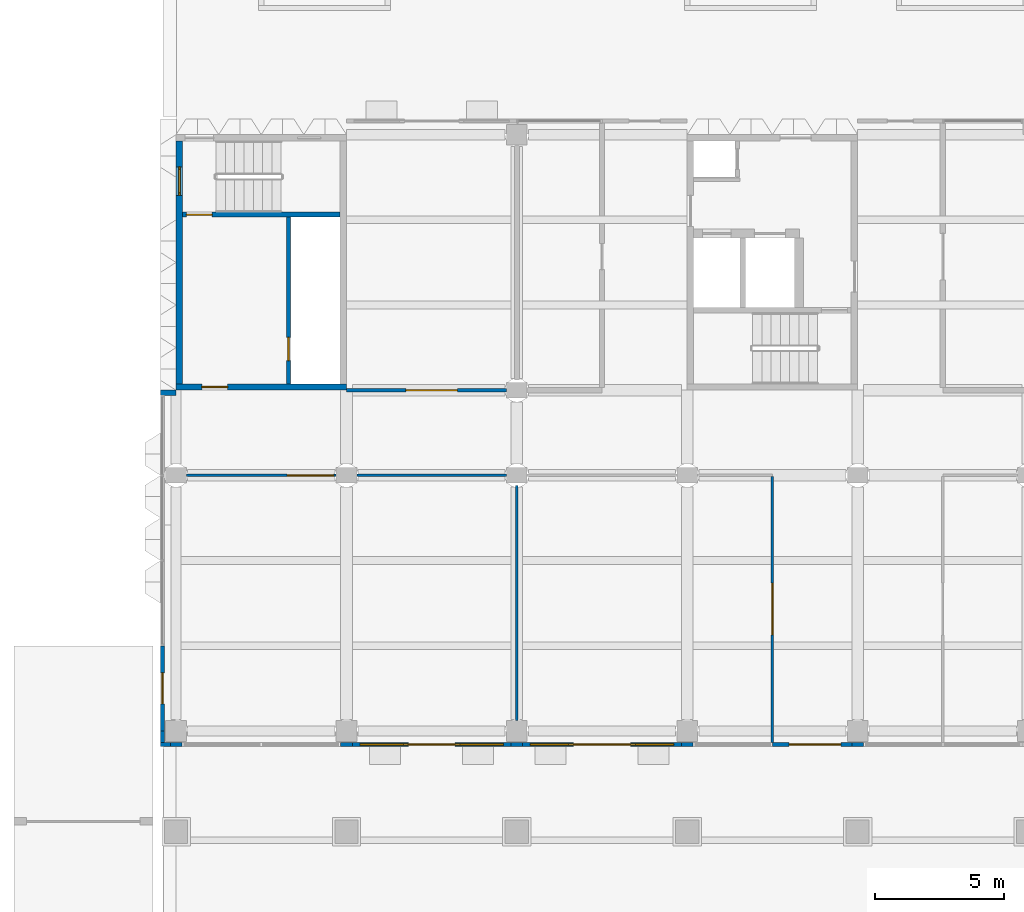
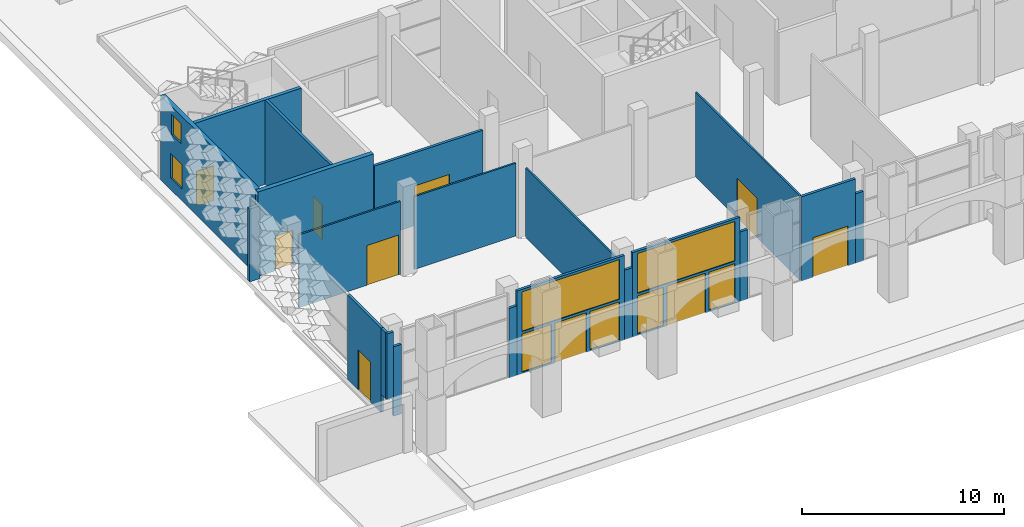
# One storey, part 26 of 85: 21 walls, 10 doors, 8 windows, 18 openings.
"""IFC4 building model written with IfcOpenShell, lengths in metres."""

from ifc_helpers import new_model, si_unit, direction, frame, frame_2d, origin, place, context, subcontext, project, spatial, rectangle, extrude, material, layer, layer_set, type_object, element, fill, save


model = new_model("IFC4")

# Units and contexts
model_context = context("Model", 3, precision=1e-05, world=origin(), true_north=direction((0.0, 1.0)))
body_context = subcontext(model_context, "Body", "Model", "MODEL_VIEW")
ifc_project = project(units=[si_unit("LENGTHUNIT", "METRE"), si_unit("AREAUNIT", "SQUARE_METRE"), si_unit("VOLUMEUNIT", "CUBIC_METRE"), si_unit("PLANEANGLEUNIT", "RADIAN"), si_unit("MASSUNIT", "GRAM", prefix="KILO")], contexts=[model_context])

# Site, building, storey
site_placement = place(None, origin())
site = spatial("IfcSite", under=ifc_project, at=site_placement, CompositionType="ELEMENT")
building_placement = place(site_placement, origin())
building = spatial("IfcBuilding", under=site, at=building_placement, Name="Lantern Court Research Institute", CompositionType="ELEMENT")
storey_placement = place(building_placement, origin())
storey = spatial("IfcBuildingStorey", under=building, at=storey_placement, Name="L00", CompositionType="ELEMENT", Elevation=0.0)

# Wall
ifc_material_1 = material(Name="Aluminium alloy 6063-T6", Category="aluminium")
ifc_layer_1 = layer(ifc_material_1, 0.14990234375)
ifc_layer_set_1 = layer_set([ifc_layer_1], Name="Aluminium alloy 6063-T6")
wall_type_1 = type_object("IfcWallType", Name="Entrance screen wall 150 aluminium", PredefinedType="STANDARD", material=ifc_layer_set_1)
wall_1_placement = place(storey_placement, frame((-0.22509765625, -0.52490234375, 1.10009765625), z_axis=(0.0, 0.0, 1.0), x_axis=(-1.0, 0.0, 0.0)))
element("IfcWall", 1, at=wall_1_placement, inside=storey, type_object=wall_type_1, Name="Exterior wall EW030", PredefinedType="STANDARD", context=body_context, shape_type="SweptSolid", body=[
    extrude(rectangle(XDim=0.375, YDim=0.14990234375, at=frame_2d((0.1875, 0.0))), origin(), (0.0, 0.0, 1.0), 4.0),
])

# Wall, openings, windows, door
wall_2_placement = place(storey_placement, frame((12.97509765625, -0.52490234375, 0.0), z_axis=(0.0, 0.0, 1.0), x_axis=(-1.0, 0.0, 0.0)))
wall_2 = element("IfcWall", 2, at=wall_2_placement, inside=storey, type_object=wall_type_1, Name="Exterior wall EW031", PredefinedType="STANDARD", context=body_context, shape_type="SweptSolid", body=[
    extrude(rectangle(XDim=6.150146484375, YDim=0.14990234375, at=frame_2d((3.0751953125, 0.0))), origin(), (0.0, 0.0, 1.0), 5.10009765625),
])
opening_1_placement = place(wall_2_placement, frame((2.175048828125, 0.0, 0.0)))
opening_1 = element("IfcOpeningElement", 3, at=opening_1_placement, cuts=wall_2, Name="Opening D4084", PredefinedType="OPENING", context=body_context, shape_type="SweptSolid", body=[
    extrude(rectangle(XDim=1.800048828125, YDim=2.39990234375, at=frame_2d((0.89990234375, 1.199951171875))), frame((0.0, 0.0849609375, 0.0), z_axis=(0.0, -1.0, 0.0), x_axis=(1.0, 0.0, 0.0)), (0.0, 0.0, 1.0), 0.169921875),
])
opening_2_placement = place(wall_2_placement, frame((4.175048828125, 0.0, 0.10009765625)))
opening_2 = element("IfcOpeningElement", 4, at=opening_2_placement, cuts=wall_2, Name="Opening W08", PredefinedType="OPENING", context=body_context, shape_type="SweptSolid", body=[
    extrude(rectangle(XDim=1.675048828125, YDim=2.300048828125, at=frame_2d((0.83740234375, 1.14990234375))), frame((0.0, 0.0849609375, 0.0), z_axis=(0.0, -1.0, 0.0), x_axis=(1.0, 0.0, 0.0)), (0.0, 0.0, 1.0), 0.169921875),
])
opening_3_placement = place(wall_2_placement, frame((0.300048828125, 0.0, 0.10009765625)))
opening_3 = element("IfcOpeningElement", 5, at=opening_3_placement, cuts=wall_2, Name="Opening W08", PredefinedType="OPENING", context=body_context, shape_type="SweptSolid", body=[
    extrude(rectangle(XDim=1.675048828125, YDim=2.300048828125, at=frame_2d((0.83740234375, 1.14990234375))), frame((0.0, 0.0849609375, 0.0), z_axis=(0.0, -1.0, 0.0), x_axis=(1.0, 0.0, 0.0)), (0.0, 0.0, 1.0), 0.169921875),
])
opening_4_placement = place(wall_2_placement, frame((0.300048828125, 0.0, 2.550048828125)))
opening_4 = element("IfcOpeningElement", 6, at=opening_4_placement, cuts=wall_2, Name="Opening W09", PredefinedType="OPENING", context=body_context, shape_type="SweptSolid", body=[
    extrude(rectangle(XDim=5.550048828125, YDim=2.39990234375, at=frame_2d((2.77490234375, 1.199951171875))), frame((0.0, 0.0849609375, 0.0), z_axis=(0.0, -1.0, 0.0), x_axis=(1.0, 0.0, 0.0)), (0.0, 0.0, 1.0), 0.169921875),
])
ifc_material_2 = material(Name="Aluminium frame with laminated low-emissivity glazing", Category="aluminium")
window_type_1 = type_object("IfcWindowType", Name="Entrance clerestory 5550 x 2400", PartitioningType="SINGLE_PANEL", PredefinedType="WINDOW", material=ifc_material_2)
window_1_placement = place(opening_4_placement, origin())
window_1 = element("IfcWindow", 7, at=window_1_placement, inside=storey, type_object=window_type_1, Name="Window W09 V4S L00", OverallHeight=2.39990234375, OverallWidth=5.550048828125, PartitioningType="SINGLE_PANEL", PredefinedType="WINDOW", context=body_context, shape_type="SweptSolid", body=[
    extrude(rectangle(XDim=5.550048828125, YDim=2.39990234375, at=frame_2d((2.77490234375, 1.199951171875))), frame((0.0, 0.030029296875, 0.0), z_axis=(0.0, -1.0, 0.0), x_axis=(1.0, 0.0, 0.0)), (0.0, 0.0, 1.0), 0.06005859375),
])
fill(opening_4, window_1)
ifc_material_3 = material(Name="Aluminium frame with laminated glass", Category="aluminium")
door_type_1 = type_object("IfcDoorType", Name="Entrance door pair 1800 x 2400 aluminium glazed", OperationType="NOTDEFINED", PredefinedType="DOOR", material=ifc_material_3)
door_1_placement = place(opening_1_placement, origin())
door_1 = element("IfcDoor", 8, at=door_1_placement, inside=storey, type_object=door_type_1, Name="Exterior door D4084", OperationType="DOUBLE_DOOR_SINGLE_SWING", OverallHeight=2.39990234375, OverallWidth=1.800048828125, PredefinedType="DOOR", context=body_context, shape_type="SweptSolid", body=[
    extrude(rectangle(XDim=1.800048828125, YDim=2.39990234375, at=frame_2d((0.89990234375, 1.199951171875))), frame((0.0, 0.02490234375, 0.0), z_axis=(0.0, -1.0, 0.0), x_axis=(1.0, 0.0, 0.0)), (0.0, 0.0, 1.0), 0.050048828125),
])
fill(opening_1, door_1)
ifc_material_4 = material(Name="Aluminium frame with laminated low-emissivity glazing", Category="aluminium")
window_type_2 = type_object("IfcWindowType", Name="Entrance sidelight 1675 x 2300", PartitioningType="SINGLE_PANEL", PredefinedType="WINDOW", material=ifc_material_4)
window_2_placement = place(opening_2_placement, origin())
window_2 = element("IfcWindow", 9, at=window_2_placement, inside=storey, type_object=window_type_2, Name="Window W08 V4S L00", OverallHeight=2.300048828125, OverallWidth=1.675048828125, PartitioningType="SINGLE_PANEL", PredefinedType="WINDOW", context=body_context, shape_type="SweptSolid", body=[
    extrude(rectangle(XDim=1.675048828125, YDim=2.300048828125, at=frame_2d((0.83740234375, 1.14990234375))), frame((0.0, 0.030029296875, 0.0), z_axis=(0.0, -1.0, 0.0), x_axis=(1.0, 0.0, 0.0)), (0.0, 0.0, 1.0), 0.06005859375),
])
fill(opening_2, window_2)
window_3_placement = place(opening_3_placement, origin())
window_3 = element("IfcWindow", 10, at=window_3_placement, inside=storey, type_object=window_type_2, Name="Window W08 V4S L00", OverallHeight=2.300048828125, OverallWidth=1.675048828125, PartitioningType="SINGLE_PANEL", PredefinedType="WINDOW", context=body_context, shape_type="SweptSolid", body=[
    extrude(rectangle(XDim=1.675048828125, YDim=2.300048828125, at=frame_2d((0.83740234375, 1.14990234375))), frame((0.0, 0.030029296875, 0.0), z_axis=(0.0, -1.0, 0.0), x_axis=(1.0, 0.0, 0.0)), (0.0, 0.0, 1.0), 0.06005859375),
])
fill(opening_3, window_3)

wall_3_placement = place(storey_placement, frame((19.574951171875, -0.52490234375, 0.0), z_axis=(0.0, 0.0, 1.0), x_axis=(-1.0, 0.0, 0.0)))
wall_3 = element("IfcWall", 11, at=wall_3_placement, inside=storey, type_object=wall_type_1, Name="Exterior wall EW032", PredefinedType="STANDARD", context=body_context, shape_type="SweptSolid", body=[
    extrude(rectangle(XDim=6.14990234375, YDim=0.14990234375, at=frame_2d((3.074951171875, 0.0))), origin(), (0.0, 0.0, 1.0), 5.10009765625),
])
opening_5_placement = place(wall_3_placement, frame((1.97509765625, 0.0, 0.0)))
opening_5 = element("IfcOpeningElement", 12, at=opening_5_placement, cuts=wall_3, Name="Opening D4085", PredefinedType="OPENING", context=body_context, shape_type="SweptSolid", body=[
    extrude(rectangle(XDim=2.199951171875, YDim=2.39990234375, at=frame_2d((1.10009765625, 1.199951171875))), frame((0.0, 0.0849609375, 0.0), z_axis=(0.0, -1.0, 0.0), x_axis=(1.0, 0.0, 0.0)), (0.0, 0.0, 1.0), 0.169921875),
])
opening_6_placement = place(wall_3_placement, frame((4.375, 0.0, 0.10009765625)))
opening_6 = element("IfcOpeningElement", 13, at=opening_6_placement, cuts=wall_3, Name="Opening W10", PredefinedType="OPENING", context=body_context, shape_type="SweptSolid", body=[
    extrude(rectangle(XDim=1.47509765625, YDim=2.300048828125, at=frame_2d((0.737548828125, 1.14990234375))), frame((0.0, 0.0849609375, 0.0), z_axis=(0.0, -1.0, 0.0), x_axis=(1.0, 0.0, 0.0)), (0.0, 0.0, 1.0), 0.169921875),
])
opening_7_placement = place(wall_3_placement, frame((0.300048828125, 0.0, 0.10009765625)))
opening_7 = element("IfcOpeningElement", 14, at=opening_7_placement, cuts=wall_3, Name="Opening W10", PredefinedType="OPENING", context=body_context, shape_type="SweptSolid", body=[
    extrude(rectangle(XDim=1.47509765625, YDim=2.300048828125, at=frame_2d((0.737548828125, 1.14990234375))), frame((0.0, 0.0849609375, 0.0), z_axis=(0.0, -1.0, 0.0), x_axis=(1.0, 0.0, 0.0)), (0.0, 0.0, 1.0), 0.169921875),
])
opening_8_placement = place(wall_3_placement, frame((0.300048828125, 0.0, 2.550048828125)))
opening_8 = element("IfcOpeningElement", 15, at=opening_8_placement, cuts=wall_3, Name="Opening W09", PredefinedType="OPENING", context=body_context, shape_type="SweptSolid", body=[
    extrude(rectangle(XDim=5.550048828125, YDim=2.39990234375, at=frame_2d((2.77490234375, 1.199951171875))), frame((0.0, 0.0849609375, 0.0), z_axis=(0.0, -1.0, 0.0), x_axis=(1.0, 0.0, 0.0)), (0.0, 0.0, 1.0), 0.169921875),
])
window_4_placement = place(opening_8_placement, origin())
window_4 = element("IfcWindow", 16, at=window_4_placement, inside=storey, type_object=window_type_1, Name="Window W09 V4S L00", OverallHeight=2.39990234375, OverallWidth=5.550048828125, PartitioningType="SINGLE_PANEL", PredefinedType="WINDOW", context=body_context, shape_type="SweptSolid", body=[
    extrude(rectangle(XDim=5.550048828125, YDim=2.39990234375, at=frame_2d((2.77490234375, 1.199951171875))), frame((0.0, 0.030029296875, 0.0), z_axis=(0.0, -1.0, 0.0), x_axis=(1.0, 0.0, 0.0)), (0.0, 0.0, 1.0), 0.06005859375),
])
fill(opening_8, window_4)
ifc_material_5 = material(Name="Aluminium frame with laminated glass", Category="aluminium")
door_type_2 = type_object("IfcDoorType", Name="Entrance door pair 2200 x 2400 aluminium glazed", OperationType="NOTDEFINED", PredefinedType="DOOR", material=ifc_material_5)
door_2_placement = place(opening_5_placement, origin())
door_2 = element("IfcDoor", 17, at=door_2_placement, inside=storey, type_object=door_type_2, Name="Exterior door D4085", OperationType="DOUBLE_DOOR_SINGLE_SWING", OverallHeight=2.39990234375, OverallWidth=2.199951171875, PredefinedType="DOOR", context=body_context, shape_type="SweptSolid", body=[
    extrude(rectangle(XDim=2.199951171875, YDim=2.39990234375, at=frame_2d((1.10009765625, 1.199951171875))), frame((0.0, 0.02490234375, 0.0), z_axis=(0.0, -1.0, 0.0), x_axis=(1.0, 0.0, 0.0)), (0.0, 0.0, 1.0), 0.050048828125),
])
fill(opening_5, door_2)
ifc_material_6 = material(Name="Aluminium frame with laminated low-emissivity glazing", Category="aluminium")
window_type_3 = type_object("IfcWindowType", Name="Entrance sidelight 1475 x 2300", PartitioningType="SINGLE_PANEL", PredefinedType="WINDOW", material=ifc_material_6)
window_5_placement = place(opening_6_placement, origin())
window_5 = element("IfcWindow", 18, at=window_5_placement, inside=storey, type_object=window_type_3, Name="Window W10 V4S L00", OverallHeight=2.300048828125, OverallWidth=1.47509765625, PartitioningType="SINGLE_PANEL", PredefinedType="WINDOW", context=body_context, shape_type="SweptSolid", body=[
    extrude(rectangle(XDim=1.47509765625, YDim=2.300048828125, at=frame_2d((0.737548828125, 1.14990234375))), frame((0.0, 0.030029296875, 0.0), z_axis=(0.0, -1.0, 0.0), x_axis=(1.0, 0.0, 0.0)), (0.0, 0.0, 1.0), 0.06005859375),
])
fill(opening_6, window_5)
window_6_placement = place(opening_7_placement, origin())
window_6 = element("IfcWindow", 19, at=window_6_placement, inside=storey, type_object=window_type_3, Name="Window W10 V4S L00", OverallHeight=2.300048828125, OverallWidth=1.47509765625, PartitioningType="SINGLE_PANEL", PredefinedType="WINDOW", context=body_context, shape_type="SweptSolid", body=[
    extrude(rectangle(XDim=1.47509765625, YDim=2.300048828125, at=frame_2d((0.737548828125, 1.14990234375))), frame((0.0, 0.030029296875, 0.0), z_axis=(0.0, -1.0, 0.0), x_axis=(1.0, 0.0, 0.0)), (0.0, 0.0, 1.0), 0.06005859375),
])
fill(opening_7, window_6)

# Wall, opening, door
wall_4_placement = place(storey_placement, frame((26.175048828125, -0.52490234375, 0.0), z_axis=(0.0, 0.0, 1.0), x_axis=(-1.0, 0.0, 0.0)))
wall_4 = element("IfcWall", 20, at=wall_4_placement, inside=storey, type_object=wall_type_1, Name="Exterior wall EW033", PredefinedType="STANDARD", context=body_context, shape_type="SweptSolid", body=[
    extrude(rectangle(XDim=3.074951171875, YDim=0.14990234375, at=frame_2d((1.53759765625, 0.0))), origin(), (0.0, 0.0, 1.0), 5.10009765625),
])
opening_9_placement = place(wall_4_placement, frame((0.425048828125, 0.0, 0.0)))
opening_9 = element("IfcOpeningElement", 21, at=opening_9_placement, cuts=wall_4, Name="Opening D4086", PredefinedType="OPENING", context=body_context, shape_type="SweptSolid", body=[
    extrude(rectangle(XDim=2.0, YDim=2.39990234375, at=frame_2d((1.0, 1.199951171875))), frame((0.0, 0.0849609375, 0.0), z_axis=(0.0, -1.0, 0.0), x_axis=(1.0, 0.0, 0.0)), (0.0, 0.0, 1.0), 0.169921875),
])
ifc_material_7 = material(Name="Aluminium frame with laminated glass", Category="aluminium")
door_type_3 = type_object("IfcDoorType", Name="Entrance door pair 2000 x 2400 aluminium glazed", OperationType="NOTDEFINED", PredefinedType="DOOR", material=ifc_material_7)
door_3_placement = place(opening_9_placement, origin())
door_3 = element("IfcDoor", 22, at=door_3_placement, inside=storey, type_object=door_type_3, Name="Exterior door D4086", OperationType="DOUBLE_DOOR_SINGLE_SWING", OverallHeight=2.39990234375, OverallWidth=2.0, PredefinedType="DOOR", context=body_context, shape_type="SweptSolid", body=[
    extrude(rectangle(XDim=2.0, YDim=2.39990234375, at=frame_2d((1.0, 1.199951171875))), frame((0.0, 0.02490234375, 0.0), z_axis=(0.0, -1.0, 0.0), x_axis=(1.0, 0.0, 0.0)), (0.0, 0.0, 1.0), 0.050048828125),
])
fill(opening_9, door_3)

# Walls
wall_5_placement = place(storey_placement, frame((0.22509765625, -0.52490234375, 0.0), z_axis=(0.0, 0.0, 1.0), x_axis=(-1.0, 0.0, 0.0)))
element("IfcWall", 23, at=wall_5_placement, inside=storey, type_object=wall_type_1, Name="Exterior wall EW036", PredefinedType="STANDARD", context=body_context, shape_type="SweptSolid", body=[
    extrude(rectangle(XDim=0.4501953125, YDim=0.14990234375, at=frame_2d((0.22509765625, 0.0))), origin(), (0.0, 0.0, 1.0), 4.199951171875),
])
for number, where, z_axis, x_axis, name in (
    (24, (6.824951171875, -0.52490234375, 0.0), (0.0, 0.0, 1.0), (-1.0, 0.0, 0.0), "Exterior wall EW037"),
    (25, (13.425048828125, -0.52490234375, 0.0), (0.0, 0.0, 1.0), (-1.0, 0.0, 0.0), "Exterior wall EW038"),
    (26, (20.02490234375, -0.52490234375, 0.0), (0.0, 0.0, 1.0), (-1.0, 0.0, 0.0), "Exterior wall EW039"),
    (27, (26.625, -0.52490234375, 0.0), (0.0, 0.0, 1.0), (-1.0, 0.0, 0.0), "Exterior wall EW040"),
):
    element("IfcWall", number, at=place(storey_placement, frame(where, z_axis=z_axis, x_axis=x_axis)), inside=storey, type_object=wall_type_1, Name=name, PredefinedType="STANDARD", context=body_context, shape_type="SweptSolid", body=[
        extrude(rectangle(XDim=0.449951171875, YDim=0.14990234375, at=frame_2d((0.22509765625, 0.0))), origin(), (0.0, 0.0, 1.0), 4.199951171875),
    ])
wall_6_placement = place(storey_placement, frame((-0.52490234375, -0.449951171875, 1.10009765625), z_axis=(0.0, 0.0, 1.0), x_axis=(0.0, 1.0, 0.0)))
element("IfcWall", 28, at=wall_6_placement, inside=storey, type_object=wall_type_1, Name="Exterior wall EW044", PredefinedType="STANDARD", context=body_context, shape_type="SweptSolid", body=[
    extrude(rectangle(XDim=0.449951171875, YDim=0.14990234375, at=frame_2d((0.22509765625, 0.0))), origin(), (0.0, 0.0, 1.0), 4.0),
])

# Wall, opening, door
ifc_material_8 = material(Name="Aluminium alloy 6063-T6", Category="aluminium")
ifc_layer_2 = layer(ifc_material_8, 0.14990234375)
ifc_layer_set_2 = layer_set([ifc_layer_2], Name="Aluminium alloy 6063-T6")
wall_type_2 = type_object("IfcWallType", Name="Entrance screen wall 150 aluminium EI 60 beside an FD60 door", PredefinedType="STANDARD", material=ifc_layer_set_2)
wall_7_placement = place(storey_placement, frame((-0.52490234375, 0.0, 0.0), z_axis=(0.0, 0.0, 1.0), x_axis=(0.0, 1.0, 0.0)))
wall_7 = element("IfcWall", 29, at=wall_7_placement, inside=storey, type_object=wall_type_2, Name="Exterior wall EW045", PredefinedType="STANDARD", context=body_context, shape_type="SweptSolid", body=[
    extrude(rectangle(XDim=3.300048828125, YDim=0.14990234375, at=frame_2d((1.64990234375, 0.0))), origin(), (0.0, 0.0, 1.0), 5.10009765625),
])
opening_10_placement = place(wall_7_placement, frame((1.050048828125, 0.0, 0.0)))
opening_10 = element("IfcOpeningElement", 30, at=opening_10_placement, cuts=wall_7, Name="Opening D4089", PredefinedType="OPENING", context=body_context, shape_type="SweptSolid", body=[
    extrude(rectangle(XDim=1.199951171875, YDim=2.39990234375, at=frame_2d((0.60009765625, 1.199951171875))), frame((0.0, 0.0849609375, 0.0), z_axis=(0.0, -1.0, 0.0), x_axis=(1.0, 0.0, 0.0)), (0.0, 0.0, 1.0), 0.169921875),
])
ifc_material_9 = material(Name="Galvanised steel leaf and frame", Category="steel")
door_type_4 = type_object("IfcDoorType", Name="Service door 1200 x 2400 steel FD60", OperationType="NOTDEFINED", PredefinedType="DOOR", material=ifc_material_9)
door_4_placement = place(opening_10_placement, origin())
door_4 = element("IfcDoor", 31, at=door_4_placement, inside=storey, type_object=door_type_4, Name="Exterior door D4089", OperationType="SINGLE_SWING_RIGHT", OverallHeight=2.39990234375, OverallWidth=1.199951171875, PredefinedType="DOOR", context=body_context, shape_type="SweptSolid", body=[
    extrude(rectangle(XDim=1.199951171875, YDim=2.39990234375, at=frame_2d((0.60009765625, 1.199951171875))), frame((0.0, 0.02490234375, 0.0), z_axis=(0.0, -1.0, 0.0), x_axis=(1.0, 0.0, 0.0)), (0.0, 0.0, 1.0), 0.050048828125),
])
fill(opening_10, door_4)

ifc_material_10 = material(Name="Fire-rated gypsum board partition, mineral wool filled")
ifc_layer_3 = layer(ifc_material_10, 0.14990234375)
ifc_layer_set_3 = layer_set([ifc_layer_3], Name="Fire-rated gypsum board partition, mineral wool filled")
wall_type_3 = type_object("IfcWallType", Name="Laboratory partition 150 EI 60", PredefinedType="PARTITIONING", material=ifc_layer_set_3)
wall_8_placement = place(storey_placement, frame((6.60009765625, 13.199951171875, 0.0), z_axis=(0.0, 0.0, 1.0), x_axis=(1.0, 0.0, 0.0)))
wall_8 = element("IfcWall", 32, at=wall_8_placement, inside=storey, type_object=wall_type_3, Name="Laboratory partition 150 EI 60", PredefinedType="PARTITIONING", context=body_context, shape_type="SweptSolid", body=[
    extrude(rectangle(XDim=6.199951171875, YDim=0.14990234375, at=frame_2d((3.10009765625, 0.0))), origin(), (0.0, 0.0, 1.0), 4.39990234375),
])
opening_11_placement = place(wall_8_placement, frame((2.2998046875, 0.0, 0.0)))
opening_11 = element("IfcOpeningElement", 33, at=opening_11_placement, cuts=wall_8, Name="Opening D4002", PredefinedType="OPENING", context=body_context, shape_type="SweptSolid", body=[
    extrude(rectangle(XDim=2.0, YDim=2.39990234375, at=frame_2d((1.0, 1.199951171875))), frame((0.0, 0.0849609375, 0.0), z_axis=(0.0, -1.0, 0.0), x_axis=(1.0, 0.0, 0.0)), (0.0, 0.0, 1.0), 0.169921875),
])
ifc_material_11 = material(Name="Solid-core timber door leaf", Category="wood")
ifc_layer_4 = layer(ifc_material_11, 0.053955078125)
ifc_layer_set_4 = layer_set([ifc_layer_4], Name="Solid-core timber door leaf")
door_type_5 = type_object("IfcDoorType", Name="Goods receiving door 2000 x 2400 pair FD30S", OperationType="DOUBLE_DOOR_SINGLE_SWING", PredefinedType="DOOR", material=ifc_layer_set_4)
door_5_placement = place(opening_11_placement, origin())
door_5 = element("IfcDoor", 34, at=door_5_placement, inside=storey, type_object=door_type_5, Name="Door D4002", OperationType="DOUBLE_DOOR_SINGLE_SWING", OverallHeight=2.39990234375, OverallWidth=2.0, PredefinedType="DOOR", context=body_context, shape_type="SweptSolid", body=[
    extrude(rectangle(XDim=2.0, YDim=2.39990234375, at=frame_2d((1.0, 1.199951171875))), frame((0.0, 0.02685546875, 0.0), z_axis=(0.0, -1.0, 0.0), x_axis=(1.0, 0.0, 0.0)), (0.0, 0.0, 1.0), 0.053955078125),
])
fill(opening_11, door_5)

ifc_material_12 = material(Name="Gypsum board partition, mineral wool filled")
ifc_layer_5 = layer(ifc_material_12, 0.10009765625)
ifc_layer_set_5 = layer_set([ifc_layer_5], Name="Gypsum board partition, mineral wool filled")
wall_type_4 = type_object("IfcWallType", Name="Partition 100", PredefinedType="PARTITIONING", material=ifc_layer_set_5)
wall_9_placement = place(storey_placement, frame((0.39990234375, 9.89990234375, 0.0), z_axis=(0.0, 0.0, 1.0), x_axis=(1.0, 0.0, 0.0)))
wall_9 = element("IfcWall", 35, at=wall_9_placement, inside=storey, type_object=wall_type_4, Name="Partition 100", PredefinedType="PARTITIONING", context=body_context, shape_type="SweptSolid", body=[
    extrude(rectangle(XDim=5.800048828125, YDim=0.10009765625, at=frame_2d((2.89990234375, 0.0))), origin(), (0.0, 0.0, 1.0), 4.39990234375),
])
opening_12_placement = place(wall_9_placement, frame((3.89990234375, 0.0, 0.0)))
opening_12 = element("IfcOpeningElement", 36, at=opening_12_placement, cuts=wall_9, Name="Opening D4012", PredefinedType="OPENING", context=body_context, shape_type="SweptSolid", body=[
    extrude(rectangle(XDim=1.800048828125, YDim=2.39990234375, at=frame_2d((0.89990234375, 1.199951171875))), frame((0.0, 0.06005859375, 0.0), z_axis=(0.0, -1.0, 0.0), x_axis=(1.0, 0.0, 0.0)), (0.0, 0.0, 1.0), 0.1201171875),
])
ifc_material_13 = material(Name="Aluminium alloy 6063-T6", Category="aluminium")
ifc_layer_6 = layer(ifc_material_13, 0.050048828125)
ifc_layer_set_6 = layer_set([ifc_layer_6], Name="Aluminium alloy 6063-T6")
door_type_6 = type_object("IfcDoorType", Name="Cafe glazed door 1800 x 2400 pair NOT RATED", OperationType="DOUBLE_DOOR_SINGLE_SWING", PredefinedType="DOOR", material=ifc_layer_set_6)
door_6_placement = place(opening_12_placement, origin())
door_6 = element("IfcDoor", 37, at=door_6_placement, inside=storey, type_object=door_type_6, Name="Door D4012", OperationType="DOUBLE_DOOR_SINGLE_SWING", OverallHeight=2.39990234375, OverallWidth=1.800048828125, PredefinedType="DOOR", context=body_context, shape_type="SweptSolid", body=[
    extrude(rectangle(XDim=1.800048828125, YDim=2.39990234375, at=frame_2d((0.89990234375, 1.199951171875))), frame((0.0, 0.02490234375, 0.0), z_axis=(0.0, -1.0, 0.0), x_axis=(1.0, 0.0, 0.0)), (0.0, 0.0, 1.0), 0.050048828125),
])
fill(opening_12, door_6)

# Walls
wall_10_placement = place(storey_placement, frame((7.0, 9.89990234375, 0.0), z_axis=(0.0, 0.0, 1.0), x_axis=(1.0, 0.0, 0.0)))
element("IfcWall", 38, at=wall_10_placement, inside=storey, type_object=wall_type_4, Name="Partition 100", PredefinedType="PARTITIONING", context=body_context, shape_type="SweptSolid", body=[
    extrude(rectangle(XDim=5.800048828125, YDim=0.10009765625, at=frame_2d((2.89990234375, 0.0))), origin(), (0.0, 0.0, 1.0), 4.39990234375),
])
wall_11_placement = place(storey_placement, frame((13.199951171875, 0.39990234375, 0.0), z_axis=(0.0, 0.0, 1.0), x_axis=(0.0, 1.0, 0.0)))
element("IfcWall", 39, at=wall_11_placement, inside=storey, type_object=wall_type_4, Name="Partition 100", PredefinedType="PARTITIONING", context=body_context, shape_type="SweptSolid", body=[
    extrude(rectangle(XDim=9.10009765625, YDim=0.10009765625, at=frame_2d((4.550048828125, 0.0))), origin(), (0.0, 0.0, 1.0), 4.199951171875),
])

# Wall, opening, door
wall_12_placement = place(storey_placement, frame((23.10009765625, 9.85009765625, 0.0), z_axis=(0.0, 0.0, 1.0), x_axis=(0.0, -1.0, 0.0)))
wall_12 = element("IfcWall", 40, at=wall_12_placement, inside=storey, type_object=wall_type_4, Name="Partition 100", PredefinedType="PARTITIONING", context=body_context, shape_type="SweptSolid", body=[
    extrude(rectangle(XDim=10.300048828125, YDim=0.10009765625, at=frame_2d((5.14990234375, 0.0))), origin(), (0.0, 0.0, 1.0), 5.10009765625),
])
opening_13_placement = place(wall_12_placement, frame((4.125, 0.0, 0.0)))
opening_13 = element("IfcOpeningElement", 41, at=opening_13_placement, cuts=wall_12, Name="Opening D4013", PredefinedType="OPENING", context=body_context, shape_type="SweptSolid", body=[
    extrude(rectangle(XDim=2.0, YDim=2.39990234375, at=frame_2d((1.0, 1.199951171875))), frame((0.0, 0.06005859375, 0.0), z_axis=(0.0, -1.0, 0.0), x_axis=(1.0, 0.0, 0.0)), (0.0, 0.0, 1.0), 0.1201171875),
])
ifc_material_14 = material(Name="Aluminium alloy 6063-T6", Category="aluminium")
ifc_layer_7 = layer(ifc_material_14, 0.050048828125)
ifc_layer_set_7 = layer_set([ifc_layer_7], Name="Aluminium alloy 6063-T6")
door_type_7 = type_object("IfcDoorType", Name="Gallery glazed door 2000 x 2400 pair NOT RATED", OperationType="DOUBLE_DOOR_SINGLE_SWING", PredefinedType="DOOR", material=ifc_layer_set_7)
door_7_placement = place(opening_13_placement, origin())
door_7 = element("IfcDoor", 42, at=door_7_placement, inside=storey, type_object=door_type_7, Name="Door D4013", OperationType="DOUBLE_DOOR_SINGLE_SWING", OverallHeight=2.39990234375, OverallWidth=2.0, PredefinedType="DOOR", context=body_context, shape_type="SweptSolid", body=[
    extrude(rectangle(XDim=2.0, YDim=2.39990234375, at=frame_2d((1.0, 1.199951171875))), frame((0.0, 0.02490234375, 0.0), z_axis=(0.0, -1.0, 0.0), x_axis=(1.0, 0.0, 0.0)), (0.0, 0.0, 1.0), 0.050048828125),
])
fill(opening_13, door_7)

ifc_material_15 = material(Name="Concrete C40/50", Category="concrete")
ifc_layer_8 = layer(ifc_material_15, 0.25)
ifc_layer_set_8 = layer_set([ifc_layer_8], Name="Concrete C40/50")
wall_type_5 = type_object("IfcWallType", Name="RC core wall 250", PredefinedType="SHEAR", material=ifc_layer_set_8)
wall_13_placement = place(storey_placement, frame((0.0, 13.324951171875, 0.0), z_axis=(0.0, 0.0, 1.0), x_axis=(1.0, 0.0, 0.0)))
wall_13 = element("IfcWall", 43, at=wall_13_placement, inside=storey, type_object=wall_type_5, Name="South wall of core BC-W", PredefinedType="SHEAR", context=body_context, shape_type="SweptSolid", body=[
    extrude(rectangle(XDim=6.60009765625, YDim=0.25, at=frame_2d((3.300048828125, 0.0))), origin(), (0.0, 0.0, 1.0), 5.10009765625),
])
opening_14_placement = place(wall_13_placement, frame((1.0, 0.0, 0.0)))
opening_14 = element("IfcOpeningElement", 44, at=opening_14_placement, cuts=wall_13, Name="Opening D7005", PredefinedType="OPENING", context=body_context, shape_type="SweptSolid", body=[
    extrude(rectangle(XDim=1.0, YDim=2.10009765625, at=frame_2d((0.5, 1.050048828125))), frame((0.0, 0.135009765625, 0.0), z_axis=(0.0, -1.0, 0.0), x_axis=(1.0, 0.0, 0.0)), (0.0, 0.0, 1.0), 0.27001953125),
])
ifc_material_16 = material(Name="Steel fire door leaf with smoke seals", Category="steel")
door_type_8 = type_object("IfcDoorType", Name="Door 1000 x 2100 fire rated FD60S", OperationType="NOTDEFINED", PredefinedType="DOOR", material=ifc_material_16)
door_8_placement = place(opening_14_placement, origin())
door_8 = element("IfcDoor", 45, at=door_8_placement, inside=storey, type_object=door_type_8, Name="Lobby door", OperationType="SINGLE_SWING_RIGHT", OverallHeight=2.10009765625, OverallWidth=1.0, PredefinedType="DOOR", context=body_context, shape_type="SweptSolid", body=[
    extrude(rectangle(XDim=1.0, YDim=2.10009765625, at=frame_2d((0.5, 1.050048828125))), frame((0.0, 0.02490234375, 0.0), z_axis=(0.0, -1.0, 0.0), x_axis=(1.0, 0.0, 0.0)), (0.0, 0.0, 1.0), 0.050048828125),
])
fill(opening_14, door_8)

# Wall, openings, windows
ifc_material_17 = material(Name="Concrete C40/50", Category="concrete")
ifc_layer_9 = layer(ifc_material_17, 0.25)
ifc_layer_set_9 = layer_set([ifc_layer_9], Name="Concrete C40/50")
wall_type_6 = type_object("IfcWallType", Name="RC core wall 250 facade", PredefinedType="SHEAR", material=ifc_layer_set_9)
wall_14_placement = place(storey_placement, frame((0.125, 13.449951171875, 0.0), z_axis=(0.0, 0.0, 1.0), x_axis=(0.0, 1.0, 0.0)))
wall_14 = element("IfcWall", 46, at=wall_14_placement, inside=storey, type_object=wall_type_6, Name="West wall of core BC-W", PredefinedType="SHEAR", context=body_context, shape_type="SweptSolid", body=[
    extrude(rectangle(XDim=9.400146484375, YDim=0.25, at=frame_2d((4.7001953125, 0.0))), origin(), (0.0, 0.0, 1.0), 5.10009765625),
])
opening_15_placement = place(wall_14_placement, frame((7.300048828125, 0.0, 0.699951171875)))
opening_15 = element("IfcOpeningElement", 47, at=opening_15_placement, cuts=wall_14, Name="Opening W5", PredefinedType="OPENING", context=body_context, shape_type="SweptSolid", body=[
    extrude(rectangle(XDim=1.10009765625, YDim=1.5, at=frame_2d((0.550048828125, 0.75))), frame((0.0, 0.135009765625, 0.0), z_axis=(0.0, -1.0, 0.0), x_axis=(1.0, 0.0, 0.0)), (0.0, 0.0, 1.0), 0.27001953125),
])
opening_16_placement = place(wall_14_placement, frame((7.39990234375, 0.0, 3.39990234375)))
opening_16 = element("IfcOpeningElement", 48, at=opening_16_placement, cuts=wall_14, Name="Opening W6", PredefinedType="OPENING", context=body_context, shape_type="SweptSolid", body=[
    extrude(rectangle(XDim=0.89990234375, YDim=1.199951171875, at=frame_2d((0.449951171875, 0.60009765625))), frame((0.0, 0.135009765625, 0.0), z_axis=(0.0, -1.0, 0.0), x_axis=(1.0, 0.0, 0.0)), (0.0, 0.0, 1.0), 0.27001953125),
])
ifc_material_18 = material(Name="Aluminium alloy 6063-T6 frame with laminated glass", Category="aluminium")
window_type_4 = type_object("IfcWindowType", Name="Stair window 1100 x 1500", PartitioningType="SINGLE_PANEL", PredefinedType="WINDOW", material=ifc_material_18)
window_7_placement = place(opening_15_placement, origin())
window_7 = element("IfcWindow", 49, at=window_7_placement, inside=storey, type_object=window_type_4, Name="Stair window", OverallHeight=1.5, OverallWidth=1.10009765625, PartitioningType="SINGLE_PANEL", PredefinedType="WINDOW", context=body_context, shape_type="SweptSolid", body=[
    extrude(rectangle(XDim=1.10009765625, YDim=1.5, at=frame_2d((0.550048828125, 0.75))), frame((0.0, 0.030029296875, 0.0), z_axis=(0.0, -1.0, 0.0), x_axis=(1.0, 0.0, 0.0)), (0.0, 0.0, 1.0), 0.06005859375),
])
fill(opening_15, window_7)
ifc_material_19 = material(Name="Aluminium alloy 6063-T6 frame with laminated glass", Category="aluminium")
window_type_5 = type_object("IfcWindowType", Name="Stair window 900 x 1200", PartitioningType="SINGLE_PANEL", PredefinedType="WINDOW", material=ifc_material_19)
window_8_placement = place(opening_16_placement, origin())
window_8 = element("IfcWindow", 50, at=window_8_placement, inside=storey, type_object=window_type_5, Name="Stair window", OverallHeight=1.199951171875, OverallWidth=0.89990234375, PartitioningType="SINGLE_PANEL", PredefinedType="WINDOW", context=body_context, shape_type="SweptSolid", body=[
    extrude(rectangle(XDim=0.89990234375, YDim=1.199951171875, at=frame_2d((0.449951171875, 0.60009765625))), frame((0.0, 0.030029296875, 0.0), z_axis=(0.0, -1.0, 0.0), x_axis=(1.0, 0.0, 0.0)), (0.0, 0.0, 1.0), 0.06005859375),
])
fill(opening_16, window_8)

# Wall, opening, door
ifc_material_20 = material(Name="Concrete C40/50", Category="concrete")
ifc_layer_10 = layer(ifc_material_20, 0.14990234375)
ifc_layer_set_10 = layer_set([ifc_layer_10], Name="Concrete C40/50")
wall_type_7 = type_object("IfcWallType", Name="RC shaft wall 150", PredefinedType="SHEAR", material=ifc_layer_set_10)
wall_15_placement = place(storey_placement, frame((4.35009765625, 13.449951171875, 0.0), z_axis=(0.0, 0.0, 1.0), x_axis=(0.0, 1.0, 0.0)))
wall_15 = element("IfcWall", 51, at=wall_15_placement, inside=storey, type_object=wall_type_7, Name="Riser wall of core BC-W", PredefinedType="SHEAR", context=body_context, shape_type="SweptSolid", body=[
    extrude(rectangle(XDim=6.449951171875, YDim=0.14990234375, at=frame_2d((3.22509765625, 0.0))), origin(), (0.0, 0.0, 1.0), 5.10009765625),
])
opening_17_placement = place(wall_15_placement, frame((0.89990234375, 0.0, 0.0)))
opening_17 = element("IfcOpeningElement", 52, at=opening_17_placement, cuts=wall_15, Name="Opening D7004", PredefinedType="OPENING", context=body_context, shape_type="SweptSolid", body=[
    extrude(rectangle(XDim=0.89990234375, YDim=2.10009765625, at=frame_2d((0.449951171875, 1.050048828125))), frame((0.0, 0.0849609375, 0.0), z_axis=(0.0, -1.0, 0.0), x_axis=(1.0, 0.0, 0.0)), (0.0, 0.0, 1.0), 0.169921875),
])
ifc_material_21 = material(Name="Steel fire door leaf", Category="steel")
door_type_9 = type_object("IfcDoorType", Name="Door 900 x 2100 fire rated FD60", OperationType="NOTDEFINED", PredefinedType="DOOR", material=ifc_material_21)
door_9_placement = place(opening_17_placement, origin())
door_9 = element("IfcDoor", 53, at=door_9_placement, inside=storey, type_object=door_type_9, Name="Riser door", OperationType="SINGLE_SWING_RIGHT", OverallHeight=2.10009765625, OverallWidth=0.89990234375, PredefinedType="DOOR", context=body_context, shape_type="SweptSolid", body=[
    extrude(rectangle(XDim=0.89990234375, YDim=2.10009765625, at=frame_2d((0.449951171875, 1.050048828125))), frame((0.0, 0.02490234375, 0.0), z_axis=(0.0, -1.0, 0.0), x_axis=(1.0, 0.0, 0.0)), (0.0, 0.0, 1.0), 0.050048828125),
])
fill(opening_17, door_9)

ifc_material_22 = material(Name="Concrete C40/50", Category="concrete")
ifc_layer_11 = layer(ifc_material_22, 0.199951171875)
ifc_layer_set_11 = layer_set([ifc_layer_11], Name="Concrete C40/50")
wall_type_8 = type_object("IfcWallType", Name="RC shaft wall 200", PredefinedType="SHEAR", material=ifc_layer_set_11)
wall_16_placement = place(storey_placement, frame((0.25, 20.0, 0.0), z_axis=(0.0, 0.0, 1.0), x_axis=(1.0, 0.0, 0.0)))
wall_16 = element("IfcWall", 54, at=wall_16_placement, inside=storey, type_object=wall_type_8, Name="Stair wall of core BC-W", PredefinedType="SHEAR", context=body_context, shape_type="SweptSolid", body=[
    extrude(rectangle(XDim=6.10009765625, YDim=0.199951171875, at=frame_2d((3.050048828125, 0.0))), origin(), (0.0, 0.0, 1.0), 5.10009765625),
])
opening_18_placement = place(wall_16_placement, frame((0.14990234375, 0.0, 0.0)))
opening_18 = element("IfcOpeningElement", 55, at=opening_18_placement, cuts=wall_16, Name="Opening D7006", PredefinedType="OPENING", context=body_context, shape_type="SweptSolid", body=[
    extrude(rectangle(XDim=1.0, YDim=2.10009765625, at=frame_2d((0.5, 1.050048828125))), frame((0.0, 0.10986328125, 0.0), z_axis=(0.0, -1.0, 0.0), x_axis=(1.0, 0.0, 0.0)), (0.0, 0.0, 1.0), 0.219970703125),
])
door_10_placement = place(opening_18_placement, origin())
door_10 = element("IfcDoor", 56, at=door_10_placement, inside=storey, type_object=door_type_8, Name="Stair door", OperationType="SINGLE_SWING_RIGHT", OverallHeight=2.10009765625, OverallWidth=1.0, PredefinedType="DOOR", context=body_context, shape_type="SweptSolid", body=[
    extrude(rectangle(XDim=1.0, YDim=2.10009765625, at=frame_2d((0.5, 1.050048828125))), frame((0.0, 0.02490234375, 0.0), z_axis=(0.0, -1.0, 0.0), x_axis=(1.0, 0.0, 0.0)), (0.0, 0.0, 1.0), 0.050048828125),
])
fill(opening_18, door_10)

# Wall
ifc_material_23 = material(Name="Concrete C40/50", Category="concrete")
ifc_layer_12 = layer(ifc_material_23, 0.199951171875)
ifc_layer_set_12 = layer_set([ifc_layer_12], Name="Concrete C40/50")
wall_type_9 = type_object("IfcWallType", Name="Return wall 200 concrete EI 120 aluminium faced", PredefinedType="STANDARD", material=ifc_layer_set_12)
wall_17_placement = place(storey_placement, frame((0.0, 13.10009765625, 0.0), z_axis=(0.0, 0.0, 1.0), x_axis=(-1.0, 0.0, 0.0)))
element("IfcWall", 57, at=wall_17_placement, inside=storey, type_object=wall_type_9, Name="Core return wall 07", PredefinedType="STANDARD", context=body_context, shape_type="SweptSolid", body=[
    extrude(rectangle(XDim=0.60009765625, YDim=0.199951171875, at=frame_2d((0.300048828125, 0.0))), origin(), (0.0, 0.0, 1.0), 4.39990234375),
])

save(model, "model.ifc")
